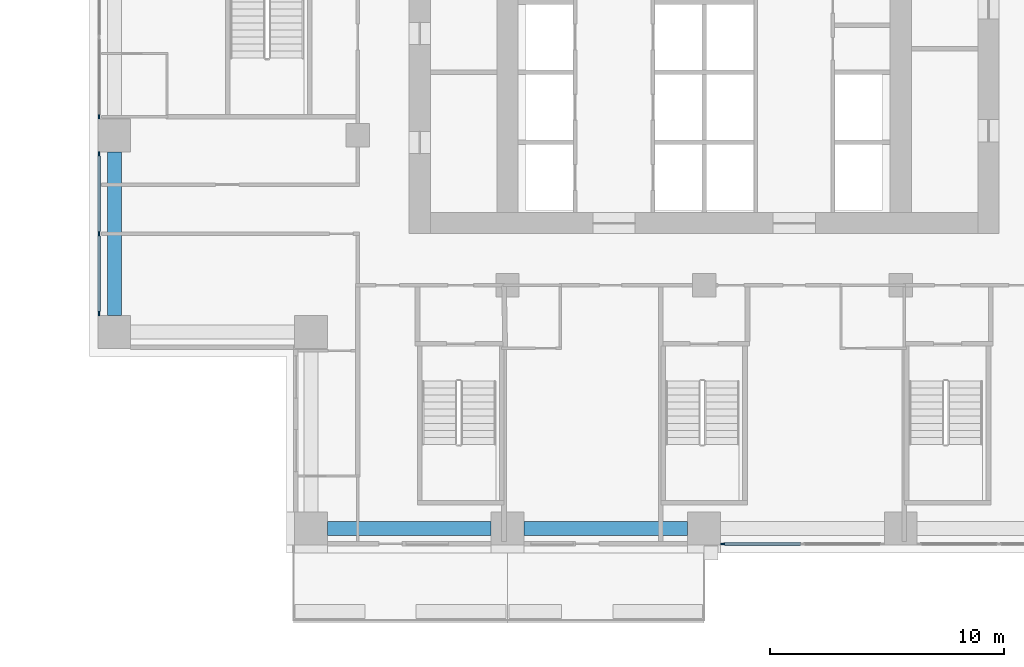
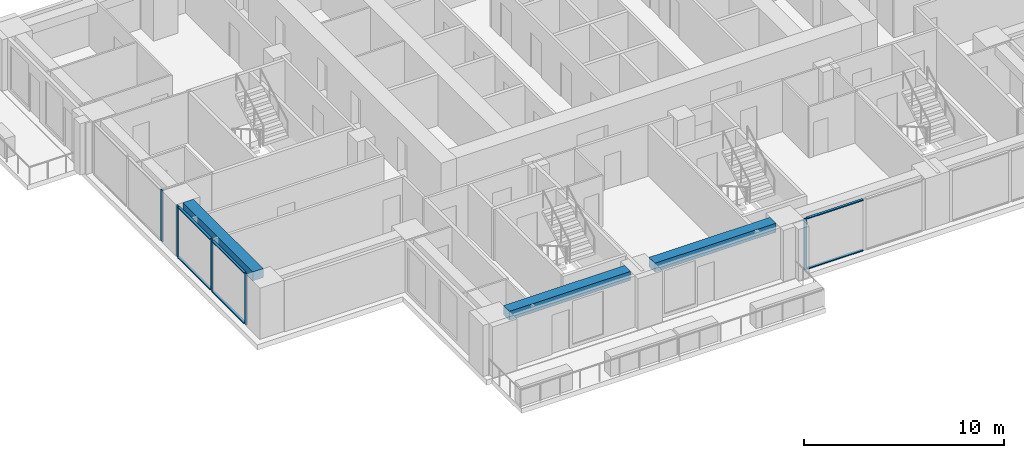
# One storey, part 2 of 16: 11 members, 3 beams, 3 elements without a shape of their own.
"""IFC4 building model written with IfcOpenShell, lengths in metres."""

from ifc_helpers import new_model, si_unit, direction, frame, origin, origin_2d, place, context, subcontext, project, spatial, rectangle, extrude, material, material_profile, profile_set, type_object, element, aggregate, save


model = new_model("IFC4")

# Units and contexts
model_context = context("Model", 3, precision=1e-05, world=origin(), true_north=direction((0.0, 1.0)))
body_context = subcontext(model_context, "Body", "Model", "MODEL_VIEW")
ifc_project = project(units=[si_unit("LENGTHUNIT", "METRE"), si_unit("AREAUNIT", "SQUARE_METRE"), si_unit("VOLUMEUNIT", "CUBIC_METRE"), si_unit("PLANEANGLEUNIT", "RADIAN"), si_unit("MASSUNIT", "GRAM", prefix="KILO")], contexts=[model_context])

# Site, building, storey
site_placement = place(None, origin())
site = spatial("IfcSite", under=ifc_project, at=site_placement, CompositionType="ELEMENT")
building_placement = place(site_placement, origin())
building = spatial("IfcBuilding", under=site, at=building_placement, Name="Vermilion Ogive Tower", CompositionType="ELEMENT")
storey_placement = place(building_placement, frame((0.0, 0.0, 41.39990234375)))
storey = spatial("IfcBuildingStorey", under=building, at=storey_placement, Name="L08", CompositionType="ELEMENT", Elevation=41.39990234375)

# Curtain wall, member
ifc_material_1 = material(Name="Low-iron laminated glazing in aluminium frame", Category="aluminium")
curtain_wall_type = type_object("IfcCurtainWallType", Name="Curtain wall CW7", PredefinedType="NOTDEFINED", material=ifc_material_1)
curtain_wall_1_placement = place(storey_placement, origin())
curtain_wall_1 = element("IfcCurtainWall", 1, at=curtain_wall_1_placement, inside=storey, type_object=curtain_wall_type, Name="Glazed skin S3", PredefinedType="NOTDEFINED")
ifc_material_2 = material(Name="Aluminium mullion", Category="aluminium")
ifc_material_profile_1 = material_profile(ifc_material_2, rectangle(XDim=0.06005859375, YDim=0.179931640625, at=origin_2d()), Name="AL 60x180")
ifc_profile_set_1 = profile_set([ifc_material_profile_1], Name="Aluminium mullion")
member_type_1 = type_object("IfcMemberType", Name="CW7 mullion 60x180", PredefinedType="MULLION", material=ifc_profile_set_1)
member_1_placement = place(storey_placement, frame((0.7900390625, -21.64990234375, 0.0), z_axis=(0.0, 0.0, 1.0), x_axis=(0.0, 1.0, 0.0)))
member_1 = element("IfcMember", 2, at=member_1_placement, type_object=member_type_1, Name="CW7-S3 mullion 1", PredefinedType="MULLION", context=body_context, shape_type="SweptSolid", body=[
    extrude(rectangle(XDim=0.06005859375, YDim=0.179931640625, at=origin_2d()), origin(), (0.0, 0.0, 1.0), 3.130126953125),
])

curtain_wall_2_placement = place(storey_placement, origin())
curtain_wall_2 = element("IfcCurtainWall", 3, at=curtain_wall_2_placement, inside=storey, type_object=curtain_wall_type, Name="Glazed skin W2", PredefinedType="NOTDEFINED")
member_2_placement = place(storey_placement, frame((-25.85009765625, -3.409912109375, 0.0), z_axis=(0.0, 0.0, 1.0), x_axis=(1.0, 0.0, 0.0)))
member_2 = element("IfcMember", 4, at=member_2_placement, type_object=member_type_1, Name="CW7-W2 mullion 3", PredefinedType="MULLION", context=body_context, shape_type="SweptSolid", body=[
    extrude(rectangle(XDim=0.06005859375, YDim=0.179931640625, at=origin_2d()), origin(), (0.0, 0.0, 1.0), 3.130126953125),
])
aggregate(curtain_wall_2, [member_2])

# Curtain wall, members
curtain_wall_3_placement = place(storey_placement, origin())
curtain_wall_3 = element("IfcCurtainWall", 5, at=curtain_wall_3_placement, inside=storey, type_object=curtain_wall_type, Name="Glazed skin W3", PredefinedType="NOTDEFINED")
member_3_placement = place(storey_placement, frame((-25.85009765625, -4.989990234375, 0.0), z_axis=(0.0, 0.0, 1.0), x_axis=(1.0, 0.0, 0.0)))
member_3 = element("IfcMember", 6, at=member_3_placement, type_object=member_type_1, Name="CW7-W3 mullion 1", PredefinedType="MULLION", context=body_context, shape_type="SweptSolid", body=[
    extrude(rectangle(XDim=0.06005859375, YDim=0.179931640625, at=origin_2d()), origin(), (0.0, 0.0, 1.0), 3.130126953125),
])
member_4_placement = place(storey_placement, frame((-25.85009765625, -8.39990234375, 0.0), z_axis=(0.0, 0.0, 1.0), x_axis=(1.0, 0.0, 0.0)))
member_4 = element("IfcMember", 7, at=member_4_placement, type_object=member_type_1, Name="CW7-W3 mullion 2", PredefinedType="MULLION", context=body_context, shape_type="SweptSolid", body=[
    extrude(rectangle(XDim=0.06005859375, YDim=0.179931640625, at=origin_2d()), origin(), (0.0, 0.0, 1.0), 3.130126953125),
])
member_5_placement = place(storey_placement, frame((-25.85009765625, -11.81005859375, 0.0), z_axis=(0.0, 0.0, 1.0), x_axis=(1.0, 0.0, 0.0)))
member_5 = element("IfcMember", 8, at=member_5_placement, type_object=member_type_1, Name="CW7-W3 mullion 3", PredefinedType="MULLION", context=body_context, shape_type="SweptSolid", body=[
    extrude(rectangle(XDim=0.06005859375, YDim=0.179931640625, at=origin_2d()), origin(), (0.0, 0.0, 1.0), 3.130126953125),
])

# Member
ifc_material_3 = material(Name="Aluminium transom", Category="aluminium")
ifc_material_profile_2 = material_profile(ifc_material_3, rectangle(XDim=0.139892578125, YDim=0.06005859375, at=origin_2d()), Name="AL 60x140")
ifc_profile_set_2 = profile_set([ifc_material_profile_2], Name="Aluminium transom")
member_type_2 = type_object("IfcMemberType", Name="CW7 transom 60x140", PredefinedType="USERDEFINED", material=ifc_profile_set_2)
member_6_placement = place(storey_placement, frame((0.8798828125, -21.64990234375, 0.030029296875), z_axis=(1.0, 0.0, 0.0), x_axis=(0.0, 1.0, 0.0)))
member_6 = element("IfcMember", 9, at=member_6_placement, type_object=member_type_2, Name="CW7-S3 transom 1.1", ObjectType="TRANSOM", PredefinedType="USERDEFINED", context=body_context, shape_type="SweptSolid", body=[
    extrude(rectangle(XDim=0.139892578125, YDim=0.06005859375, at=origin_2d()), origin(), (0.0, 0.0, 1.0), 3.230224609375),
])

member_7_placement = place(storey_placement, frame((0.8798828125, -21.64990234375, 3.10009765625), z_axis=(1.0, 0.0, 0.0), x_axis=(0.0, 1.0, 0.0)))
member_7 = element("IfcMember", 10, at=member_7_placement, type_object=member_type_2, Name="CW7-S3 transom 1.2", ObjectType="TRANSOM", PredefinedType="USERDEFINED", context=body_context, shape_type="SweptSolid", body=[
    extrude(rectangle(XDim=0.139892578125, YDim=0.06005859375, at=origin_2d()), origin(), (0.0, 0.0, 1.0), 3.230224609375),
])

aggregate(curtain_wall_1, [member_1, member_6, member_7])

member_8_placement = place(storey_placement, frame((-25.85009765625, -5.080078125, 0.030029296875), z_axis=(0.0, -1.0, 0.0), x_axis=(1.0, 0.0, 0.0)))
member_8 = element("IfcMember", 11, at=member_8_placement, type_object=member_type_2, Name="CW7-W3 transom 1.1", ObjectType="TRANSOM", PredefinedType="USERDEFINED", context=body_context, shape_type="SweptSolid", body=[
    extrude(rectangle(XDim=0.139892578125, YDim=0.06005859375, at=origin_2d()), origin(), (0.0, 0.0, 1.0), 3.22998046875),
])

member_9_placement = place(storey_placement, frame((-25.85009765625, -5.080078125, 3.10009765625), z_axis=(0.0, -1.0, 0.0), x_axis=(1.0, 0.0, 0.0)))
member_9 = element("IfcMember", 12, at=member_9_placement, type_object=member_type_2, Name="CW7-W3 transom 1.2", ObjectType="TRANSOM", PredefinedType="USERDEFINED", context=body_context, shape_type="SweptSolid", body=[
    extrude(rectangle(XDim=0.139892578125, YDim=0.06005859375, at=origin_2d()), origin(), (0.0, 0.0, 1.0), 3.22998046875),
])

member_10_placement = place(storey_placement, frame((-25.85009765625, -8.489990234375, 0.030029296875), z_axis=(0.0, -1.0, 0.0), x_axis=(1.0, 0.0, 0.0)))
member_10 = element("IfcMember", 13, at=member_10_placement, type_object=member_type_2, Name="CW7-W3 transom 2.1", ObjectType="TRANSOM", PredefinedType="USERDEFINED", context=body_context, shape_type="SweptSolid", body=[
    extrude(rectangle(XDim=0.139892578125, YDim=0.06005859375, at=origin_2d()), origin(), (0.0, 0.0, 1.0), 3.22998046875),
])

member_11_placement = place(storey_placement, frame((-25.85009765625, -8.489990234375, 3.10009765625), z_axis=(0.0, -1.0, 0.0), x_axis=(1.0, 0.0, 0.0)))
member_11 = element("IfcMember", 14, at=member_11_placement, type_object=member_type_2, Name="CW7-W3 transom 2.2", ObjectType="TRANSOM", PredefinedType="USERDEFINED", context=body_context, shape_type="SweptSolid", body=[
    extrude(rectangle(XDim=0.139892578125, YDim=0.06005859375, at=origin_2d()), origin(), (0.0, 0.0, 1.0), 3.22998046875),
])

aggregate(curtain_wall_3, [member_3, member_4, member_5, member_8, member_9, member_10, member_11])

# Beams
ifc_material_4 = material(Name="Concrete B45", Category="concrete")
ifc_material_profile_3 = material_profile(ifc_material_4, rectangle(XDim=0.60009765625, YDim=0.550048828125, at=origin_2d()), Name="600 x 550")
ifc_profile_set_3 = profile_set([ifc_material_profile_3], Name="Concrete B45")
beam_type = type_object("IfcBeamType", Name="Edge beam 600 x 550 B45", PredefinedType="BEAM", material=ifc_profile_set_3)
for number, where, z_axis, x_axis, name in (
    (15, (-16.10009765625, -21.0, 2.85498046875), (1.0, 0.0, 0.0), (0.0, 1.0, 0.0), "L08-EB-1"),
    (16, (-7.699951171875, -21.0, 2.85498046875), (1.0, 0.0, 0.0), (0.0, 1.0, 0.0), "L08-EB-2"),
    (17, (-25.199951171875, -4.89990234375, 2.85498046875), (0.0, -1.0, 0.0), (1.0, 0.0, 0.0), "L08-EB-16"),
):
    element("IfcBeam", number, at=place(storey_placement, frame(where, z_axis=z_axis, x_axis=x_axis)), inside=storey, type_object=beam_type, Name=name, PredefinedType="BEAM", context=body_context, shape_type="SweptSolid", body=[
        extrude(rectangle(XDim=0.60009765625, YDim=0.550048828125, at=origin_2d()), origin(), (0.0, 0.0, 1.0), 7.0),
    ])

save(model, "model.ifc")
